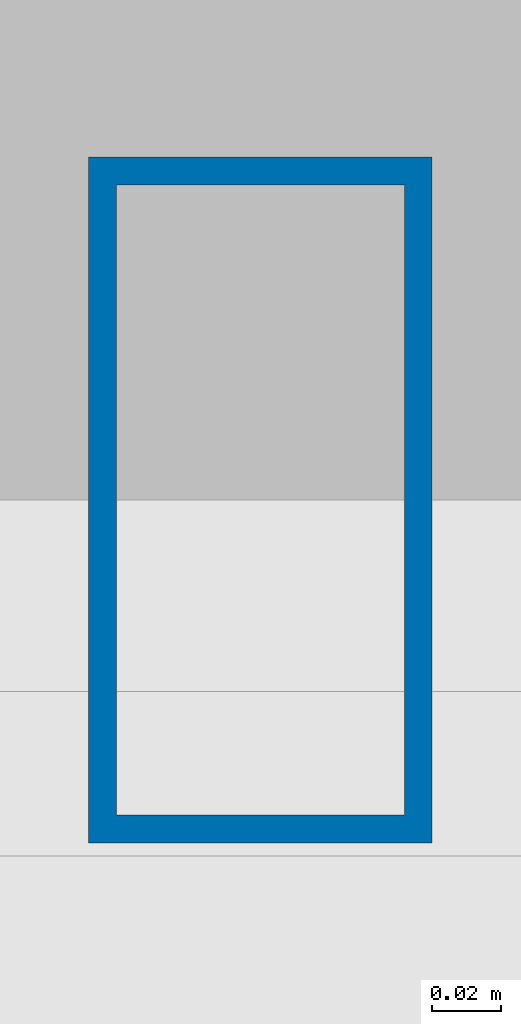
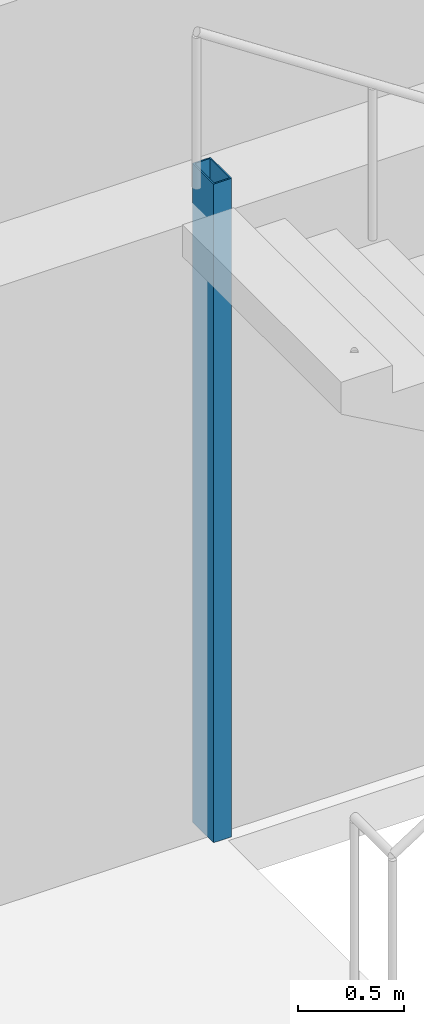
# One storey, part 2 of 16: 1 column.
"""IFC4 building model written with IfcOpenShell, lengths in metres."""

from ifc_helpers import new_model, si_unit, direction, frame, origin, origin_2d, place, context, subcontext, project, spatial, hollow_rectangle, extrude, material, material_profile, profile_set, type_object, element, save


model = new_model("IFC4")

# Units and contexts
model_context = context("Model", 3, precision=1e-05, world=origin(), true_north=direction((0.0, 1.0)))
body_context = subcontext(model_context, "Body", "Model", "MODEL_VIEW")
ifc_project = project(units=[si_unit("LENGTHUNIT", "METRE"), si_unit("AREAUNIT", "SQUARE_METRE"), si_unit("VOLUMEUNIT", "CUBIC_METRE"), si_unit("PLANEANGLEUNIT", "RADIAN"), si_unit("MASSUNIT", "GRAM", prefix="KILO")], contexts=[model_context])

# Site, building, storey
site_placement = place(None, origin())
site = spatial("IfcSite", under=ifc_project, at=site_placement, CompositionType="ELEMENT")
building_placement = place(site_placement, origin())
building = spatial("IfcBuilding", under=site, at=building_placement, Name="Menara Jurai Vektor", CompositionType="ELEMENT")
storey_placement = place(building_placement, frame((0.0, 0.0, 40.800048828125)))
storey = spatial("IfcBuildingStorey", under=building, at=storey_placement, Name="L09", CompositionType="ELEMENT", Elevation=40.800048828125)

# Column
ifc_material = material(Name="Steel S355", Category="steel")
ifc_material_profile = material_profile(ifc_material, hollow_rectangle(XDim=0.10009765625, YDim=0.199951171875, WallThickness=0.008056640625, at=origin_2d()), Name="RHS 200x100x8")
ifc_profile_set = profile_set([ifc_material_profile], Name="Steel S355")
column_type = type_object("IfcColumnType", Name="STR-COL-STAIR", PredefinedType="COLUMN", material=ifc_profile_set)
column_placement = place(storey_placement, frame((-11.1201171875, 5.419921875, 0.0), z_axis=(0.0, 0.0, 1.0), x_axis=(1.0, 0.0, 0.0)))
element("IfcColumn", 1, at=column_placement, inside=storey, type_object=column_type, Name="Stair Well Header Column ST1-P2 L09", PredefinedType="COLUMN", context=body_context, shape_type="SweptSolid", body=[
    extrude(hollow_rectangle(XDim=0.10009765625, YDim=0.199951171875, WallThickness=0.008056640625, at=origin_2d()), origin(), (0.0, 0.0, 1.0), 3.800048828125),
])

save(model, "model.ifc")
